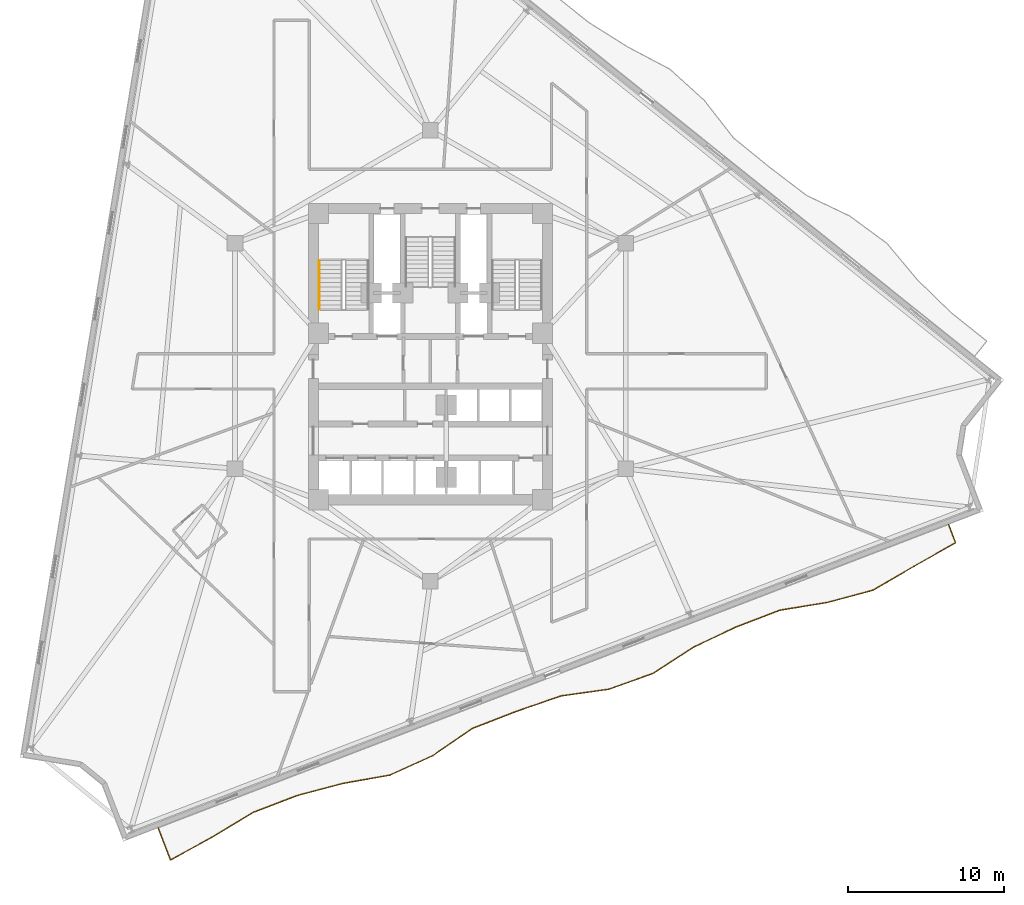
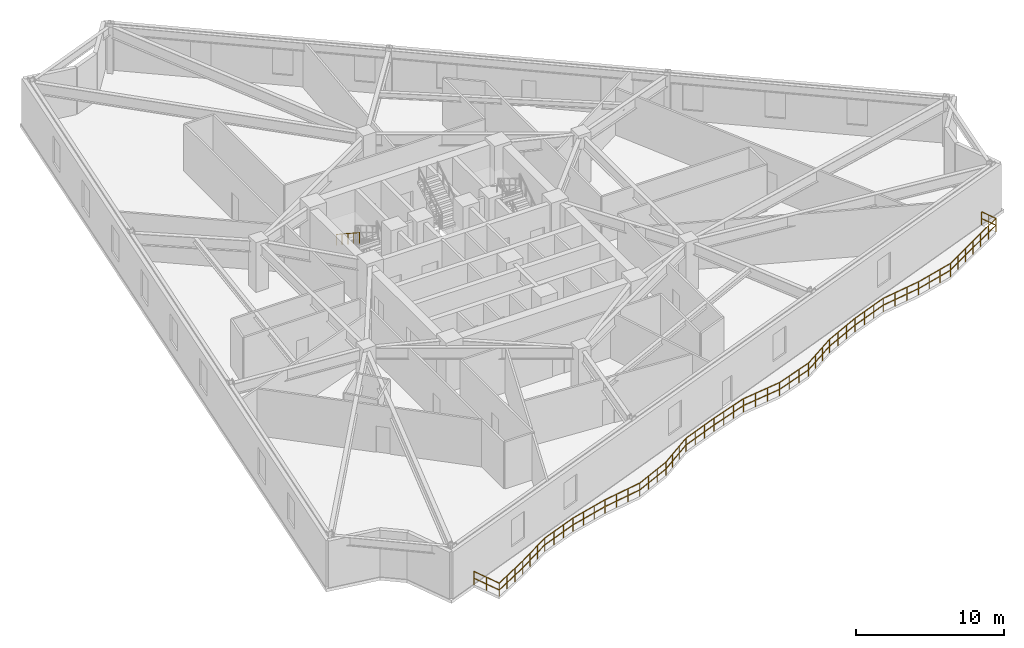
# One storey, part 8 of 10: 2 railings.
"""IFC4 building model written with IfcOpenShell, lengths in metres."""

from ifc_helpers import new_model, si_unit, direction, frame, origin, origin_2d, place, context, subcontext, project, spatial, rectangle, extrude, material, type_object, element, save


model = new_model("IFC4")

# Units and contexts
model_context = context("Model", 3, precision=1e-05, world=origin(), true_north=direction((0.0, 1.0)))
body_context = subcontext(model_context, "Body", "Model", "MODEL_VIEW")
ifc_project = project(units=[si_unit("LENGTHUNIT", "METRE"), si_unit("AREAUNIT", "SQUARE_METRE"), si_unit("VOLUMEUNIT", "CUBIC_METRE"), si_unit("PLANEANGLEUNIT", "RADIAN"), si_unit("MASSUNIT", "GRAM", prefix="KILO")], contexts=[model_context])

# Site, building, storey
site_placement = place(None, origin())
site = spatial("IfcSite", under=ifc_project, at=site_placement, CompositionType="ELEMENT")
building_placement = place(site_placement, origin())
building = spatial("IfcBuilding", under=site, at=building_placement, Name="Apsidion Concourse Tower", CompositionType="ELEMENT")
storey_placement = place(building_placement, frame((0.0, 0.0, 136.300048828125)))
storey = spatial("IfcBuildingStorey", under=building, at=storey_placement, Name="L31", CompositionType="ELEMENT", Elevation=136.300048828125)

# Railings
ifc_material = material(Name="Brushed stainless steel 316", Category="steel")
railing_type_1 = type_object("IfcRailingType", Name="RL-BAL-1120", PredefinedType="BALUSTRADE", material=ifc_material)
railing_1_placement = place(storey_placement, frame((33.314208984375, -10.847900390625, 0.0)))
element("IfcRailing", 1, at=railing_1_placement, inside=storey, type_object=railing_type_1, Name="L31 Face 2 Rippling Balcony Balustrade", PredefinedType="BALUSTRADE", context=body_context, shape_type="SweptSolid", body=[
    extrude(rectangle(XDim=0.048095703125, YDim=0.048095703125, at=origin_2d()), frame((0.0, 0.0, 1.09619140625), z_axis=(0.358390063807, -0.933571937327, 0.0), x_axis=(0.933571937327, 0.358390063807, 0.0)), (0.0, 0.0, 1.0), 1.25),
    extrude(rectangle(XDim=0.048095703125, YDim=0.048095703125, at=origin_2d()), frame((0.0, 0.0, 0.5361328125), z_axis=(0.358390063807, -0.933571937327, 0.0), x_axis=(0.933571937327, 0.358390063807, 0.0)), (0.0, 0.0, 1.0), 1.25),
    extrude(rectangle(XDim=0.048095703125, YDim=0.048095703125, at=origin_2d()), frame((0.447998046875, -1.1669921875, 1.09619140625), z_axis=(-0.870543502547, -0.492091465251, 0.0), x_axis=(0.492091465251, -0.870543502547, 0.0)), (0.0, 0.0, 1.0), 3.05712890625),
    extrude(rectangle(XDim=0.048095703125, YDim=0.048095703125, at=origin_2d()), frame((0.447998046875, -1.1669921875, 0.5361328125), z_axis=(-0.870543502547, -0.492091465251, 0.0), x_axis=(0.492091465251, -0.870543502547, 0.0)), (0.0, 0.0, 1.0), 3.05712890625),
    extrude(rectangle(XDim=0.048095703125, YDim=0.048095703125, at=origin_2d()), frame((-2.21337890625, -2.67138671875, 1.09619140625), z_axis=(-0.863914713399, -0.503638131969, 0.0), x_axis=(0.503638131969, -0.863914713399, 0.0)), (0.0, 0.0, 1.0), 3.063720703125),
    extrude(rectangle(XDim=0.048095703125, YDim=0.048095703125, at=origin_2d()), frame((-2.21337890625, -2.67138671875, 0.5361328125), z_axis=(-0.863914713399, -0.503638131969, 0.0), x_axis=(0.503638131969, -0.863914713399, 0.0)), (0.0, 0.0, 1.0), 3.063720703125),
    extrude(rectangle(XDim=0.048095703125, YDim=0.048095703125, at=origin_2d()), frame((-4.860107421875, -4.21435546875, 1.09619140625), z_axis=(-0.965483027818, -0.260465972815, 0.0), x_axis=(0.260465972815, -0.965483027818, 0.0)), (0.0, 0.0, 1.0), 3.039794921875),
    extrude(rectangle(XDim=0.048095703125, YDim=0.048095703125, at=origin_2d()), frame((-4.860107421875, -4.21435546875, 0.5361328125), z_axis=(-0.965483027818, -0.260465972815, 0.0), x_axis=(0.260465972815, -0.965483027818, 0.0)), (0.0, 0.0, 1.0), 3.039794921875),
    extrude(rectangle(XDim=0.048095703125, YDim=0.048095703125, at=origin_2d()), frame((-7.794921875, -5.006103515625, 1.09619140625), z_axis=(-0.987043973724, -0.160449973307, 0.0), x_axis=(0.160449973307, -0.987043973724, 0.0)), (0.0, 0.0, 1.0), 3.0888671875),
    extrude(rectangle(XDim=0.048095703125, YDim=0.048095703125, at=origin_2d()), frame((-7.794921875, -5.006103515625, 0.5361328125), z_axis=(-0.987043973724, -0.160449973307, 0.0), x_axis=(0.160449973307, -0.987043973724, 0.0)), (0.0, 0.0, 1.0), 3.0888671875),
    extrude(rectangle(XDim=0.048095703125, YDim=0.048095703125, at=origin_2d()), frame((-10.84375, -5.501708984375, 1.09619140625), z_axis=(-0.933586801128, -0.358351342623, 0.0), x_axis=(0.358351342623, -0.933586801128, 0.0)), (0.0, 0.0, 1.0), 3.0234375),
    extrude(rectangle(XDim=0.048095703125, YDim=0.048095703125, at=origin_2d()), frame((-10.84375, -5.501708984375, 0.5361328125), z_axis=(-0.933586801128, -0.358351342623, 0.0), x_axis=(0.358351342623, -0.933586801128, 0.0)), (0.0, 0.0, 1.0), 3.0234375),
    extrude(rectangle(XDim=0.048095703125, YDim=0.048095703125, at=origin_2d()), frame((-13.66650390625, -6.585205078125, 1.09619140625), z_axis=(-0.904094888151, -0.427331760134, 0.0), x_axis=(0.427331760134, -0.904094888151, 0.0)), (0.0, 0.0, 1.0), 3.032470703125),
    extrude(rectangle(XDim=0.048095703125, YDim=0.048095703125, at=origin_2d()), frame((-13.66650390625, -6.585205078125, 0.5361328125), z_axis=(-0.904094888151, -0.427331760134, 0.0), x_axis=(0.427331760134, -0.904094888151, 0.0)), (0.0, 0.0, 1.0), 3.032470703125),
    extrude(rectangle(XDim=0.048095703125, YDim=0.048095703125, at=origin_2d()), frame((-16.408203125, -7.881103515625, 1.09619140625), z_axis=(-0.838349783153, -0.545132682094, 0.0), x_axis=(0.545132682094, -0.838349783153, 0.0)), (0.0, 0.0, 1.0), 3.091552734375),
    extrude(rectangle(XDim=0.048095703125, YDim=0.048095703125, at=origin_2d()), frame((-16.408203125, -7.881103515625, 0.5361328125), z_axis=(-0.838349783153, -0.545132682094, 0.0), x_axis=(0.545132682094, -0.838349783153, 0.0)), (0.0, 0.0, 1.0), 3.091552734375),
    extrude(rectangle(XDim=0.048095703125, YDim=0.048095703125, at=origin_2d()), frame((-19.0, -9.56640625, 1.09619140625), z_axis=(-0.941771125784, -0.336254586049, 0.0), x_axis=(0.336254586049, -0.941771125784, 0.0)), (0.0, 0.0, 1.0), 3.024658203125),
    extrude(rectangle(XDim=0.048095703125, YDim=0.048095703125, at=origin_2d()), frame((-19.0, -9.56640625, 0.5361328125), z_axis=(-0.941771125784, -0.336254586049, 0.0), x_axis=(0.336254586049, -0.941771125784, 0.0)), (0.0, 0.0, 1.0), 3.024658203125),
    extrude(rectangle(XDim=0.048095703125, YDim=0.048095703125, at=origin_2d()), frame((-21.8486328125, -10.58349609375, 1.09619140625), z_axis=(-0.99026793306, -0.139174066385, 0.0), x_axis=(0.139174066385, -0.99026793306, 0.0)), (0.0, 0.0, 1.0), 3.103271484375),
    extrude(rectangle(XDim=0.048095703125, YDim=0.048095703125, at=origin_2d()), frame((-21.8486328125, -10.58349609375, 0.5361328125), z_axis=(-0.99026793306, -0.139174066385, 0.0), x_axis=(0.139174066385, -0.99026793306, 0.0)), (0.0, 0.0, 1.0), 3.103271484375),
    extrude(rectangle(XDim=0.048095703125, YDim=0.048095703125, at=origin_2d()), frame((-24.921630859375, -11.015380859375, 1.09619140625), z_axis=(-0.945172997621, -0.326570060734, 0.0), x_axis=(0.326570060734, -0.945172997621, 0.0)), (0.0, 0.0, 1.0), 3.025390625),
    extrude(rectangle(XDim=0.048095703125, YDim=0.048095703125, at=origin_2d()), frame((-24.921630859375, -11.015380859375, 0.5361328125), z_axis=(-0.945172997621, -0.326570060734, 0.0), x_axis=(0.326570060734, -0.945172997621, 0.0)), (0.0, 0.0, 1.0), 3.025390625),
    extrude(rectangle(XDim=0.048095703125, YDim=0.048095703125, at=origin_2d()), frame((-27.78125, -12.00341796875, 1.09619140625), z_axis=(-0.932106151206, -0.362185205224, 0.0), x_axis=(0.362185205224, -0.932106151206, 0.0)), (0.0, 0.0, 1.0), 3.02392578125),
    extrude(rectangle(XDim=0.048095703125, YDim=0.048095703125, at=origin_2d()), frame((-27.78125, -12.00341796875, 0.5361328125), z_axis=(-0.932106151206, -0.362185205224, 0.0), x_axis=(0.362185205224, -0.932106151206, 0.0)), (0.0, 0.0, 1.0), 3.02392578125),
    extrude(rectangle(XDim=0.048095703125, YDim=0.048095703125, at=origin_2d()), frame((-30.599853515625, -13.0986328125, 1.09619140625), z_axis=(-0.825074086921, -0.565024557954, 0.0), x_axis=(0.565024557954, -0.825074086921, 0.0)), (0.0, 0.0, 1.0), 3.1083984375),
    extrude(rectangle(XDim=0.048095703125, YDim=0.048095703125, at=origin_2d()), frame((-30.599853515625, -13.0986328125, 0.5361328125), z_axis=(-0.825074086921, -0.565024557954, 0.0), x_axis=(0.565024557954, -0.825074086921, 0.0)), (0.0, 0.0, 1.0), 3.1083984375),
    extrude(rectangle(XDim=0.048095703125, YDim=0.048095703125, at=origin_2d()), frame((-33.16455078125, -14.85498046875, 1.09619140625), z_axis=(-0.910876443824, -0.412679178159, 0.0), x_axis=(0.412679178159, -0.910876443824, 0.0)), (0.0, 0.0, 1.0), 3.029052734375),
    extrude(rectangle(XDim=0.048095703125, YDim=0.048095703125, at=origin_2d()), frame((-33.16455078125, -14.85498046875, 0.5361328125), z_axis=(-0.910876443824, -0.412679178159, 0.0), x_axis=(0.412679178159, -0.910876443824, 0.0)), (0.0, 0.0, 1.0), 3.029052734375),
    extrude(rectangle(XDim=0.048095703125, YDim=0.048095703125, at=origin_2d()), frame((-35.923583984375, -16.10498046875, 1.09619140625), z_axis=(-0.984776376336, -0.173826029725, 0.0), x_axis=(0.173826029725, -0.984776376336, 0.0)), (0.0, 0.0, 1.0), 3.080078125),
    extrude(rectangle(XDim=0.048095703125, YDim=0.048095703125, at=origin_2d()), frame((-35.923583984375, -16.10498046875, 0.5361328125), z_axis=(-0.984776376336, -0.173826029725, 0.0), x_axis=(0.173826029725, -0.984776376336, 0.0)), (0.0, 0.0, 1.0), 3.080078125),
    extrude(rectangle(XDim=0.048095703125, YDim=0.048095703125, at=origin_2d()), frame((-38.956787109375, -16.640380859375, 1.09619140625), z_axis=(-0.966462403748, -0.256808142669, 0.0), x_axis=(0.256808142669, -0.966462403748, 0.0)), (0.0, 0.0, 1.0), 3.041259765625),
    extrude(rectangle(XDim=0.048095703125, YDim=0.048095703125, at=origin_2d()), frame((-38.956787109375, -16.640380859375, 0.5361328125), z_axis=(-0.966462403748, -0.256808142669, 0.0), x_axis=(0.256808142669, -0.966462403748, 0.0)), (0.0, 0.0, 1.0), 3.041259765625),
    extrude(rectangle(XDim=0.048095703125, YDim=0.048095703125, at=origin_2d()), frame((-41.89599609375, -17.42138671875, 1.09619140625), z_axis=(-0.933597169026, -0.358324330722, 0.0), x_axis=(0.358324330722, -0.933597169026, 0.0)), (0.0, 0.0, 1.0), 3.023681640625),
    extrude(rectangle(XDim=0.048095703125, YDim=0.048095703125, at=origin_2d()), frame((-41.89599609375, -17.42138671875, 0.5361328125), z_axis=(-0.933597169026, -0.358324330722, 0.0), x_axis=(0.358324330722, -0.933597169026, 0.0)), (0.0, 0.0, 1.0), 3.023681640625),
    extrude(rectangle(XDim=0.048095703125, YDim=0.048095703125, at=origin_2d()), frame((-44.718994140625, -18.5048828125, 1.09619140625), z_axis=(-0.855509342297, -0.51778737455, 0.0), x_axis=(0.51778737455, -0.855509342297, 0.0)), (0.0, 0.0, 1.0), 3.072265625),
    extrude(rectangle(XDim=0.048095703125, YDim=0.048095703125, at=origin_2d()), frame((-44.718994140625, -18.5048828125, 0.5361328125), z_axis=(-0.855509342297, -0.51778737455, 0.0), x_axis=(0.51778737455, -0.855509342297, 0.0)), (0.0, 0.0, 1.0), 3.072265625),
    extrude(rectangle(XDim=0.048095703125, YDim=0.048095703125, at=origin_2d()), frame((-47.347412109375, -20.095703125, 1.09619140625), z_axis=(-0.877454818994, -0.479659296402, 0.0), x_axis=(0.479659296402, -0.877454818994, 0.0)), (0.0, 0.0, 1.0), 3.05078125),
    extrude(rectangle(XDim=0.048095703125, YDim=0.048095703125, at=origin_2d()), frame((-47.347412109375, -20.095703125, 0.5361328125), z_axis=(-0.877454818994, -0.479659296402, 0.0), x_axis=(0.479659296402, -0.877454818994, 0.0)), (0.0, 0.0, 1.0), 3.05078125),
    extrude(rectangle(XDim=0.048095703125, YDim=0.048095703125, at=origin_2d()), frame((-50.0244140625, -21.55908203125, 1.09619140625), z_axis=(-0.358361733464, 0.933582812604, 0.0), x_axis=(-0.933582812604, -0.358361733464, 0.0)), (0.0, 0.0, 1.0), 2.19970703125),
    extrude(rectangle(XDim=0.048095703125, YDim=0.048095703125, at=origin_2d()), frame((-50.0244140625, -21.55908203125, 0.5361328125), z_axis=(-0.358361733464, 0.933582812604, 0.0), x_axis=(-0.933582812604, -0.358361733464, 0.0)), (0.0, 0.0, 1.0), 2.19970703125),
    extrude(rectangle(XDim=0.0419921875, YDim=0.0419921875, at=origin_2d()), origin(), (0.0, 0.0, 1.0), 1.072021484375),
    extrude(rectangle(XDim=0.0419921875, YDim=0.0419921875, at=origin_2d()), frame((0.22412109375, -0.58349609375, 0.0)), (0.0, 0.0, 1.0), 1.072021484375),
    extrude(rectangle(XDim=0.0419921875, YDim=0.0419921875, at=origin_2d()), frame((0.447998046875, -1.1669921875, 0.0)), (0.0, 0.0, 1.0), 1.072021484375),
    extrude(rectangle(XDim=0.0419921875, YDim=0.0419921875, at=origin_2d()), frame((-0.439208984375, -1.66845703125, 0.0)), (0.0, 0.0, 1.0), 1.072021484375),
    extrude(rectangle(XDim=0.0419921875, YDim=0.0419921875, at=origin_2d()), frame((-1.326171875, -2.169921875, 0.0)), (0.0, 0.0, 1.0), 1.072021484375),
    extrude(rectangle(XDim=0.0419921875, YDim=0.0419921875, at=origin_2d()), frame((-2.21337890625, -2.67138671875, 0.0)), (0.0, 0.0, 1.0), 1.072021484375),
    extrude(rectangle(XDim=0.0419921875, YDim=0.0419921875, at=origin_2d()), frame((-3.095703125, -3.185791015625, 0.0)), (0.0, 0.0, 1.0), 1.072021484375),
    extrude(rectangle(XDim=0.0419921875, YDim=0.0419921875, at=origin_2d()), frame((-3.977783203125, -3.699951171875, 0.0)), (0.0, 0.0, 1.0), 1.072021484375),
    extrude(rectangle(XDim=0.0419921875, YDim=0.0419921875, at=origin_2d()), frame((-4.860107421875, -4.21435546875, 0.0)), (0.0, 0.0, 1.0), 1.072021484375),
    extrude(rectangle(XDim=0.0419921875, YDim=0.0419921875, at=origin_2d()), frame((-5.83837890625, -4.478271484375, 0.0)), (0.0, 0.0, 1.0), 1.072021484375),
    extrude(rectangle(XDim=0.0419921875, YDim=0.0419921875, at=origin_2d()), frame((-6.816650390625, -4.7421875, 0.0)), (0.0, 0.0, 1.0), 1.072021484375),
    extrude(rectangle(XDim=0.0419921875, YDim=0.0419921875, at=origin_2d()), frame((-7.794921875, -5.006103515625, 0.0)), (0.0, 0.0, 1.0), 1.072021484375),
    extrude(rectangle(XDim=0.0419921875, YDim=0.0419921875, at=origin_2d()), frame((-8.811279296875, -5.17138671875, 0.0)), (0.0, 0.0, 1.0), 1.072021484375),
    extrude(rectangle(XDim=0.0419921875, YDim=0.0419921875, at=origin_2d()), frame((-9.827392578125, -5.33642578125, 0.0)), (0.0, 0.0, 1.0), 1.072021484375),
    extrude(rectangle(XDim=0.0419921875, YDim=0.0419921875, at=origin_2d()), frame((-10.84375, -5.501708984375, 0.0)), (0.0, 0.0, 1.0), 1.072021484375),
    extrude(rectangle(XDim=0.0419921875, YDim=0.0419921875, at=origin_2d()), frame((-11.78466796875, -5.86279296875, 0.0)), (0.0, 0.0, 1.0), 1.072021484375),
    extrude(rectangle(XDim=0.0419921875, YDim=0.0419921875, at=origin_2d()), frame((-12.7255859375, -6.22412109375, 0.0)), (0.0, 0.0, 1.0), 1.072021484375),
    extrude(rectangle(XDim=0.0419921875, YDim=0.0419921875, at=origin_2d()), frame((-13.66650390625, -6.585205078125, 0.0)), (0.0, 0.0, 1.0), 1.072021484375),
    extrude(rectangle(XDim=0.0419921875, YDim=0.0419921875, at=origin_2d()), frame((-14.580322265625, -7.01708984375, 0.0)), (0.0, 0.0, 1.0), 1.072021484375),
    extrude(rectangle(XDim=0.0419921875, YDim=0.0419921875, at=origin_2d()), frame((-15.494384765625, -7.44921875, 0.0)), (0.0, 0.0, 1.0), 1.072021484375),
    extrude(rectangle(XDim=0.0419921875, YDim=0.0419921875, at=origin_2d()), frame((-16.408203125, -7.881103515625, 0.0)), (0.0, 0.0, 1.0), 1.072021484375),
    extrude(rectangle(XDim=0.0419921875, YDim=0.0419921875, at=origin_2d()), frame((-17.272216796875, -8.44287109375, 0.0)), (0.0, 0.0, 1.0), 1.072021484375),
    extrude(rectangle(XDim=0.0419921875, YDim=0.0419921875, at=origin_2d()), frame((-18.135986328125, -9.004638671875, 0.0)), (0.0, 0.0, 1.0), 1.072021484375),
    extrude(rectangle(XDim=0.0419921875, YDim=0.0419921875, at=origin_2d()), frame((-19.0, -9.56640625, 0.0)), (0.0, 0.0, 1.0), 1.072021484375),
    extrude(rectangle(XDim=0.0419921875, YDim=0.0419921875, at=origin_2d()), frame((-19.949462890625, -9.905517578125, 0.0)), (0.0, 0.0, 1.0), 1.072021484375),
    extrude(rectangle(XDim=0.0419921875, YDim=0.0419921875, at=origin_2d()), frame((-20.899169921875, -10.244384765625, 0.0)), (0.0, 0.0, 1.0), 1.072021484375),
    extrude(rectangle(XDim=0.0419921875, YDim=0.0419921875, at=origin_2d()), frame((-21.8486328125, -10.58349609375, 0.0)), (0.0, 0.0, 1.0), 1.072021484375),
    extrude(rectangle(XDim=0.0419921875, YDim=0.0419921875, at=origin_2d()), frame((-22.873046875, -10.7275390625, 0.0)), (0.0, 0.0, 1.0), 1.072021484375),
    extrude(rectangle(XDim=0.0419921875, YDim=0.0419921875, at=origin_2d()), frame((-23.897216796875, -10.871337890625, 0.0)), (0.0, 0.0, 1.0), 1.072021484375),
    extrude(rectangle(XDim=0.0419921875, YDim=0.0419921875, at=origin_2d()), frame((-24.921630859375, -11.015380859375, 0.0)), (0.0, 0.0, 1.0), 1.072021484375),
    extrude(rectangle(XDim=0.0419921875, YDim=0.0419921875, at=origin_2d()), frame((-25.874755859375, -11.3447265625, 0.0)), (0.0, 0.0, 1.0), 1.072021484375),
    extrude(rectangle(XDim=0.0419921875, YDim=0.0419921875, at=origin_2d()), frame((-26.828125, -11.674072265625, 0.0)), (0.0, 0.0, 1.0), 1.072021484375),
    extrude(rectangle(XDim=0.0419921875, YDim=0.0419921875, at=origin_2d()), frame((-27.78125, -12.00341796875, 0.0)), (0.0, 0.0, 1.0), 1.072021484375),
    extrude(rectangle(XDim=0.0419921875, YDim=0.0419921875, at=origin_2d()), frame((-28.720703125, -12.368408203125, 0.0)), (0.0, 0.0, 1.0), 1.072021484375),
    extrude(rectangle(XDim=0.0419921875, YDim=0.0419921875, at=origin_2d()), frame((-29.660400390625, -12.733642578125, 0.0)), (0.0, 0.0, 1.0), 1.072021484375),
    extrude(rectangle(XDim=0.0419921875, YDim=0.0419921875, at=origin_2d()), frame((-30.599853515625, -13.0986328125, 0.0)), (0.0, 0.0, 1.0), 1.072021484375),
    extrude(rectangle(XDim=0.0419921875, YDim=0.0419921875, at=origin_2d()), frame((-31.454833984375, -13.68408203125, 0.0)), (0.0, 0.0, 1.0), 1.072021484375),
    extrude(rectangle(XDim=0.0419921875, YDim=0.0419921875, at=origin_2d()), frame((-32.3095703125, -14.26953125, 0.0)), (0.0, 0.0, 1.0), 1.072021484375),
    extrude(rectangle(XDim=0.0419921875, YDim=0.0419921875, at=origin_2d()), frame((-33.16455078125, -14.85498046875, 0.0)), (0.0, 0.0, 1.0), 1.072021484375),
    extrude(rectangle(XDim=0.0419921875, YDim=0.0419921875, at=origin_2d()), frame((-34.084228515625, -15.271728515625, 0.0)), (0.0, 0.0, 1.0), 1.072021484375),
    extrude(rectangle(XDim=0.0419921875, YDim=0.0419921875, at=origin_2d()), frame((-35.00390625, -15.688232421875, 0.0)), (0.0, 0.0, 1.0), 1.072021484375),
    extrude(rectangle(XDim=0.0419921875, YDim=0.0419921875, at=origin_2d()), frame((-35.923583984375, -16.10498046875, 0.0)), (0.0, 0.0, 1.0), 1.072021484375),
    extrude(rectangle(XDim=0.0419921875, YDim=0.0419921875, at=origin_2d()), frame((-36.9345703125, -16.283447265625, 0.0)), (0.0, 0.0, 1.0), 1.072021484375),
    extrude(rectangle(XDim=0.0419921875, YDim=0.0419921875, at=origin_2d()), frame((-37.94580078125, -16.4619140625, 0.0)), (0.0, 0.0, 1.0), 1.072021484375),
    extrude(rectangle(XDim=0.0419921875, YDim=0.0419921875, at=origin_2d()), frame((-38.956787109375, -16.640380859375, 0.0)), (0.0, 0.0, 1.0), 1.072021484375),
    extrude(rectangle(XDim=0.0419921875, YDim=0.0419921875, at=origin_2d()), frame((-39.9365234375, -16.900634765625, 0.0)), (0.0, 0.0, 1.0), 1.072021484375),
    extrude(rectangle(XDim=0.0419921875, YDim=0.0419921875, at=origin_2d()), frame((-40.916259765625, -17.1611328125, 0.0)), (0.0, 0.0, 1.0), 1.072021484375),
    extrude(rectangle(XDim=0.0419921875, YDim=0.0419921875, at=origin_2d()), frame((-41.89599609375, -17.42138671875, 0.0)), (0.0, 0.0, 1.0), 1.072021484375),
    extrude(rectangle(XDim=0.0419921875, YDim=0.0419921875, at=origin_2d()), frame((-42.8369140625, -17.782470703125, 0.0)), (0.0, 0.0, 1.0), 1.072021484375),
    extrude(rectangle(XDim=0.0419921875, YDim=0.0419921875, at=origin_2d()), frame((-43.778076171875, -18.143798828125, 0.0)), (0.0, 0.0, 1.0), 1.072021484375),
    extrude(rectangle(XDim=0.0419921875, YDim=0.0419921875, at=origin_2d()), frame((-44.718994140625, -18.5048828125, 0.0)), (0.0, 0.0, 1.0), 1.072021484375),
    extrude(rectangle(XDim=0.0419921875, YDim=0.0419921875, at=origin_2d()), frame((-45.59521484375, -19.03515625, 0.0)), (0.0, 0.0, 1.0), 1.072021484375),
    extrude(rectangle(XDim=0.0419921875, YDim=0.0419921875, at=origin_2d()), frame((-46.47119140625, -19.5654296875, 0.0)), (0.0, 0.0, 1.0), 1.072021484375),
    extrude(rectangle(XDim=0.0419921875, YDim=0.0419921875, at=origin_2d()), frame((-47.347412109375, -20.095703125, 0.0)), (0.0, 0.0, 1.0), 1.072021484375),
    extrude(rectangle(XDim=0.0419921875, YDim=0.0419921875, at=origin_2d()), frame((-48.23974609375, -20.58349609375, 0.0)), (0.0, 0.0, 1.0), 1.072021484375),
    extrude(rectangle(XDim=0.0419921875, YDim=0.0419921875, at=origin_2d()), frame((-49.132080078125, -21.0712890625, 0.0)), (0.0, 0.0, 1.0), 1.072021484375),
    extrude(rectangle(XDim=0.0419921875, YDim=0.0419921875, at=origin_2d()), frame((-50.0244140625, -21.55908203125, 0.0)), (0.0, 0.0, 1.0), 1.072021484375),
    extrude(rectangle(XDim=0.0419921875, YDim=0.0419921875, at=origin_2d()), frame((-50.41845703125, -20.5322265625, 0.0)), (0.0, 0.0, 1.0), 1.072021484375),
    extrude(rectangle(XDim=0.0419921875, YDim=0.0419921875, at=origin_2d()), frame((-50.812744140625, -19.50537109375, 0.0)), (0.0, 0.0, 1.0), 1.072021484375),
])
railing_type_2 = type_object("IfcRailingType", Name="RL-HAND-900", PredefinedType="HANDRAIL", material=ifc_material)
railing_2_placement = place(storey_placement, frame((-7.14990234375, 6.135009765625, 2.220703125)))
element("IfcRailing", 2, at=railing_2_placement, inside=storey, type_object=railing_type_2, Name="L31 ST1 stair handrail 2", PredefinedType="HANDRAIL", context=body_context, shape_type="SweptSolid", body=[
    extrude(rectangle(XDim=0.048095703125, YDim=0.048095703125, at=origin_2d()), frame((0.0, 0.0, 0.8759765625), z_axis=(0.0, -0.836940907821, 0.547293263996), x_axis=(1.0, 0.0, 0.0)), (0.0, 0.0, 1.0), 3.745849609375),
    extrude(rectangle(XDim=0.0419921875, YDim=0.0419921875, at=origin_2d()), origin(), (0.0, 0.0, 1.0), 0.851806640625),
    extrude(rectangle(XDim=0.0419921875, YDim=0.0419921875, at=origin_2d()), frame((0.0, -0.78369140625, 0.512451171875)), (0.0, 0.0, 1.0), 0.851806640625),
    extrude(rectangle(XDim=0.0419921875, YDim=0.0419921875, at=origin_2d()), frame((0.0, -1.5673828125, 1.02490234375)), (0.0, 0.0, 1.0), 0.851806640625),
    extrude(rectangle(XDim=0.0419921875, YDim=0.0419921875, at=origin_2d()), frame((0.0, -2.351318359375, 1.53759765625)), (0.0, 0.0, 1.0), 0.851806640625),
    extrude(rectangle(XDim=0.0419921875, YDim=0.0419921875, at=origin_2d()), frame((0.0, -3.135009765625, 2.050048828125)), (0.0, 0.0, 1.0), 0.851806640625),
])

save(model, "model.ifc")
